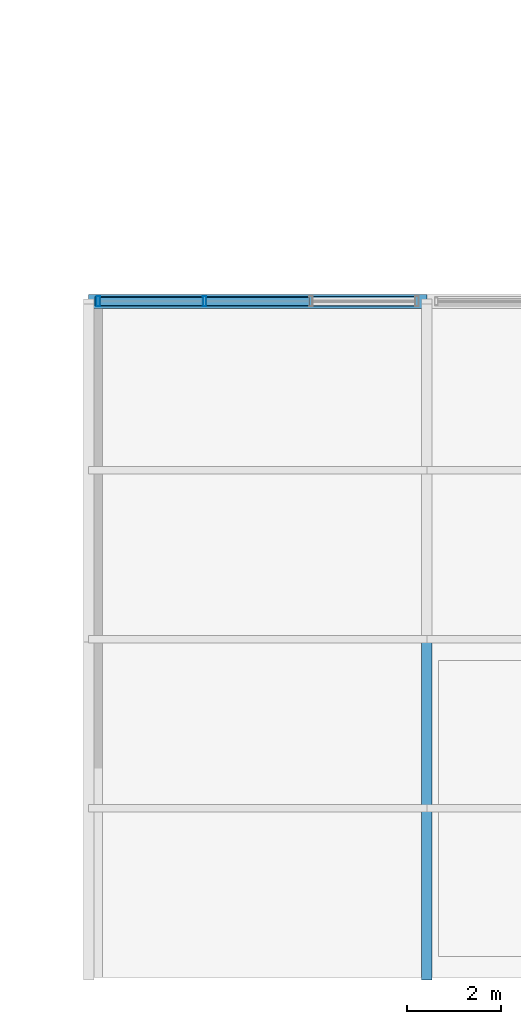
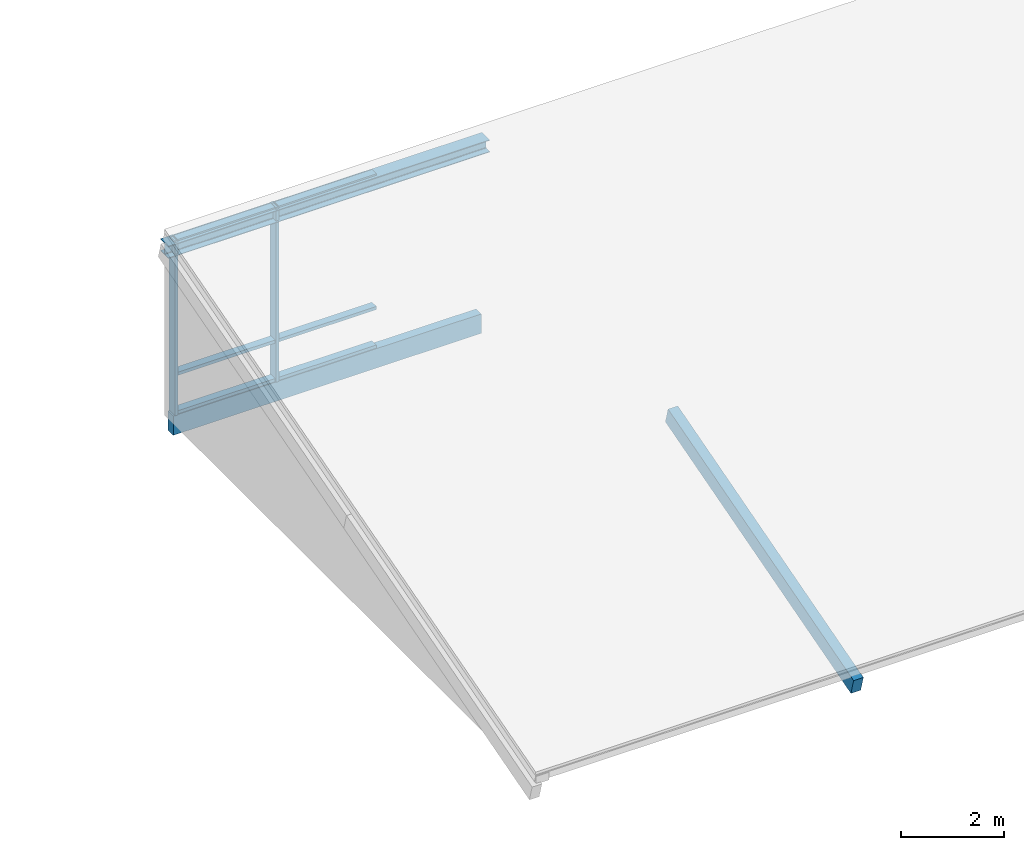
# One storey, part 2 of 32: 9 members, 2 beams, 1 element without a shape of its own.
"""IFC4 building model written with IfcOpenShell, lengths in metres."""

from ifc_helpers import new_model, si_unit, direction, frame, origin, origin_2d, place, context, subcontext, project, spatial, rectangle, hollow_rectangle, i_section, extrude, material, material_profile, profile_set, type_object, element, aggregate, save


model = new_model("IFC4")

# Units and contexts
model_context = context("Model", 3, precision=1e-05, world=origin(), true_north=direction((0.0, 1.0)))
body_context = subcontext(model_context, "Body", "Model", "MODEL_VIEW")
ifc_project = project(units=[si_unit("LENGTHUNIT", "METRE"), si_unit("AREAUNIT", "SQUARE_METRE"), si_unit("VOLUMEUNIT", "CUBIC_METRE"), si_unit("PLANEANGLEUNIT", "RADIAN"), si_unit("MASSUNIT", "GRAM", prefix="KILO")], contexts=[model_context])

# Site, building, storey
site_placement = place(None, origin())
site = spatial("IfcSite", under=ifc_project, at=site_placement, CompositionType="ELEMENT")
building_placement = place(site_placement, origin())
building = spatial("IfcBuilding", under=site, at=building_placement, Name="Hawrajan Terrace Health Centre", CompositionType="ELEMENT")
storey_placement = place(building_placement, frame((0.0, 0.0, 17.39990234375)))
storey = spatial("IfcBuildingStorey", under=building, at=storey_placement, Name="L04", CompositionType="ELEMENT", Elevation=17.39990234375)

# Curtain wall, members
ifc_material_1 = material(Name="Anodized bronze aluminium and low-E solar glazing", Category="aluminium")
curtain_wall_type = type_object("IfcCurtainWallType", Name="CW_Clerestory_SeriesG1", PredefinedType="USERDEFINED", material=ifc_material_1)
curtain_wall_placement = place(storey_placement, origin())
curtain_wall = element("IfcCurtainWall", 1, at=curtain_wall_placement, inside=storey, type_object=curtain_wall_type, Name="Curtain wall CW-L04-CLER-179", ObjectType="UNITISED CURTAIN WALL", PredefinedType="USERDEFINED")
ifc_material_2 = material(Name="Anodized bronze aluminium 6063-T6", Category="aluminium")
ifc_material_profile_1 = material_profile(ifc_material_2, hollow_rectangle(XDim=0.074951171875, YDim=0.219970703125, WallThickness=0.0048828125, at=origin_2d()), Name="CW MUL 75x220")
ifc_profile_set_1 = profile_set([ifc_material_profile_1], Name="Anodized bronze aluminium 6063-T6")
member_type_1 = type_object("IfcMemberType", Name="CWMullion_75x220", PredefinedType="MULLION", material=ifc_profile_set_1)
member_1_placement = place(storey_placement, frame((48.007568359375, 18.60009765625, -0.204833984375), z_axis=(0.0, 0.0, 1.0), x_axis=(1.0, 0.0, 0.0)))
member_1 = element("IfcMember", 2, at=member_1_placement, type_object=member_type_1, Name="Mullion CW-L04-CLER-179-M1", PredefinedType="MULLION", context=body_context, shape_type="SweptSolid", body=[
    extrude(hollow_rectangle(XDim=0.074951171875, YDim=0.219970703125, WallThickness=0.0048828125, at=origin_2d()), origin(), (0.0, 0.0, 1.0), 4.138916015625),
])
member_2_placement = place(storey_placement, frame((50.269287109375, 18.60009765625, -0.204833984375), z_axis=(0.0, 0.0, 1.0), x_axis=(1.0, 0.0, 0.0)))
member_2 = element("IfcMember", 3, at=member_2_placement, type_object=member_type_1, Name="Mullion CW-L04-CLER-179-M2", PredefinedType="MULLION", context=body_context, shape_type="SweptSolid", body=[
    extrude(hollow_rectangle(XDim=0.074951171875, YDim=0.219970703125, WallThickness=0.0048828125, at=origin_2d()), origin(), (0.0, 0.0, 1.0), 4.138916015625),
])
ifc_material_profile_2 = material_profile(ifc_material_2, hollow_rectangle(XDim=0.074951171875, YDim=0.169921875, WallThickness=0.00439453125, at=origin_2d()), Name="CW TRN 75x170")
ifc_profile_set_2 = profile_set([ifc_material_profile_2], Name="Anodized bronze aluminium 6063-T6")
member_type_2 = type_object("IfcMemberType", Name="CWTransom_75x170", PredefinedType="USERDEFINED", material=ifc_profile_set_2)
member_3_placement = place(storey_placement, frame((48.0390625, 18.60009765625, -0.162353515625), z_axis=(1.0, 0.0, 0.0), x_axis=(0.0, 0.0, 1.0)))
member_3 = element("IfcMember", 4, at=member_3_placement, type_object=member_type_2, Name="Transom CW-L04-CLER-179-T1-1", ObjectType="TRANSOM", PredefinedType="USERDEFINED", context=body_context, shape_type="SweptSolid", body=[
    extrude(hollow_rectangle(XDim=0.074951171875, YDim=0.169921875, WallThickness=0.00439453125, at=origin_2d()), origin(), (0.0, 0.0, 1.0), 2.19873046875),
])
member_4_placement = place(storey_placement, frame((48.0390625, 18.60009765625, 0.75), z_axis=(1.0, 0.0, 0.0), x_axis=(0.0, 0.0, 1.0)))
member_4 = element("IfcMember", 5, at=member_4_placement, type_object=member_type_2, Name="Transom CW-L04-CLER-179-T1-2", ObjectType="TRANSOM", PredefinedType="USERDEFINED", context=body_context, shape_type="SweptSolid", body=[
    extrude(hollow_rectangle(XDim=0.074951171875, YDim=0.169921875, WallThickness=0.00439453125, at=origin_2d()), origin(), (0.0, 0.0, 1.0), 2.19873046875),
])
member_5_placement = place(storey_placement, frame((48.0390625, 18.60009765625, 3.8916015625), z_axis=(1.0, 0.0, 0.0), x_axis=(0.0, 0.0, 1.0)))
member_5 = element("IfcMember", 6, at=member_5_placement, type_object=member_type_2, Name="Transom CW-L04-CLER-179-T1-3", ObjectType="TRANSOM", PredefinedType="USERDEFINED", context=body_context, shape_type="SweptSolid", body=[
    extrude(hollow_rectangle(XDim=0.074951171875, YDim=0.169921875, WallThickness=0.00439453125, at=origin_2d()), origin(), (0.0, 0.0, 1.0), 2.19873046875),
])
member_6_placement = place(storey_placement, frame((50.30078125, 18.60009765625, -0.162353515625), z_axis=(1.0, 0.0, 0.0), x_axis=(0.0, 0.0, 1.0)))
member_6 = element("IfcMember", 7, at=member_6_placement, type_object=member_type_2, Name="Transom CW-L04-CLER-179-T2-1", ObjectType="TRANSOM", PredefinedType="USERDEFINED", context=body_context, shape_type="SweptSolid", body=[
    extrude(hollow_rectangle(XDim=0.074951171875, YDim=0.169921875, WallThickness=0.00439453125, at=origin_2d()), origin(), (0.0, 0.0, 1.0), 2.198486328125),
])
member_7_placement = place(storey_placement, frame((50.30078125, 18.60009765625, 0.75), z_axis=(1.0, 0.0, 0.0), x_axis=(0.0, 0.0, 1.0)))
member_7 = element("IfcMember", 8, at=member_7_placement, type_object=member_type_2, Name="Transom CW-L04-CLER-179-T2-2", ObjectType="TRANSOM", PredefinedType="USERDEFINED", context=body_context, shape_type="SweptSolid", body=[
    extrude(hollow_rectangle(XDim=0.074951171875, YDim=0.169921875, WallThickness=0.00439453125, at=origin_2d()), origin(), (0.0, 0.0, 1.0), 2.198486328125),
])
member_8_placement = place(storey_placement, frame((50.30078125, 18.60009765625, 3.8916015625), z_axis=(1.0, 0.0, 0.0), x_axis=(0.0, 0.0, 1.0)))
member_8 = element("IfcMember", 9, at=member_8_placement, type_object=member_type_2, Name="Transom CW-L04-CLER-179-T2-3", ObjectType="TRANSOM", PredefinedType="USERDEFINED", context=body_context, shape_type="SweptSolid", body=[
    extrude(hollow_rectangle(XDim=0.074951171875, YDim=0.169921875, WallThickness=0.00439453125, at=origin_2d()), origin(), (0.0, 0.0, 1.0), 2.198486328125),
])
aggregate(curtain_wall, [member_1, member_2, member_3, member_4, member_5, member_6, member_7, member_8])

# Beam
ifc_material_3 = material(Name="Glulam GL32h", Category="wood")
ifc_material_profile_3 = material_profile(ifc_material_3, rectangle(XDim=0.199951171875, YDim=0.4599609375, at=origin_2d()), Name="GL SP 200x460")
ifc_profile_set_3 = profile_set([ifc_material_profile_3], Name="Glulam GL32h")
beam_type_1 = type_object("IfcBeamType", Name="GlulamSpandrel_200x460", PredefinedType="SPANDREL", material=ifc_profile_set_3)
beam_1_placement = place(storey_placement, frame((47.93994140625, 18.60009765625, -0.429931640625), z_axis=(1.0, 0.0, 0.0), x_axis=(0.0, 1.0, 0.0)))
element("IfcBeam", 10, at=beam_1_placement, inside=storey, type_object=beam_type_1, Name="Beam BM-X-L04-W-07-Y3", PredefinedType="SPANDREL", context=body_context, shape_type="SweptSolid", body=[
    extrude(rectangle(XDim=0.199951171875, YDim=0.4599609375, at=origin_2d()), origin(), (0.0, 0.0, 1.0), 6.900146484375),
])

# Member
ifc_material_profile_4 = material_profile(ifc_material_3, rectangle(XDim=0.219970703125, YDim=0.3798828125, at=origin_2d()), Name="GL CHD 220x380")
ifc_profile_set_4 = profile_set([ifc_material_profile_4], Name="Glulam GL32h")
member_type_3 = type_object("IfcMemberType", Name="RoofRafter_220x380", PredefinedType="RAFTER", material=ifc_profile_set_4)
member_9_placement = place(storey_placement, frame((55.0, 4.199951171875, -0.3798828125), z_axis=(0.0, 0.961256584542, 0.275655180749), x_axis=(-1.0, 0.0, 0.0)))
element("IfcMember", 11, at=member_9_placement, inside=storey, type_object=member_type_3, Name="North-light rafter S W-G08", PredefinedType="RAFTER", context=body_context, shape_type="SweptSolid", body=[
    extrude(rectangle(XDim=0.219970703125, YDim=0.3798828125, at=origin_2d()), origin(), (0.0, 0.0, 1.0), 7.490234375),
])

# Beam
ifc_material_4 = material(Name="Steel S355", Category="steel")
ifc_material_profile_5 = material_profile(ifc_material_4, i_section(OverallWidth=0.300048828125, OverallDepth=0.2900390625, WebThickness=0.008544921875, FlangeThickness=0.013916015625, FilletRadius=0.027099609375, at=origin_2d()), Name="HEA 300")
ifc_profile_set_5 = profile_set([ifc_material_profile_5], Name="Steel S355")
beam_type_2 = type_object("IfcBeamType", Name="SteelBeam_HEA300", PredefinedType="BEAM", material=ifc_profile_set_5)
beam_2_placement = place(storey_placement, frame((47.800048828125, 18.60009765625, 3.749267578125), z_axis=(1.0, 0.0, 0.0), x_axis=(0.0, 1.0, 0.0)))
element("IfcBeam", 12, at=beam_2_placement, inside=storey, type_object=beam_type_2, Name="Clerestory head beam W-1", PredefinedType="BEAM", context=body_context, shape_type="SweptSolid", body=[
    extrude(i_section(OverallWidth=0.300048828125, OverallDepth=0.2900390625, WebThickness=0.008544921875, FlangeThickness=0.013916015625, FilletRadius=0.027099609375, at=origin_2d()), origin(), (0.0, 0.0, 1.0), 7.199951171875),
])

save(model, "model.ifc")
